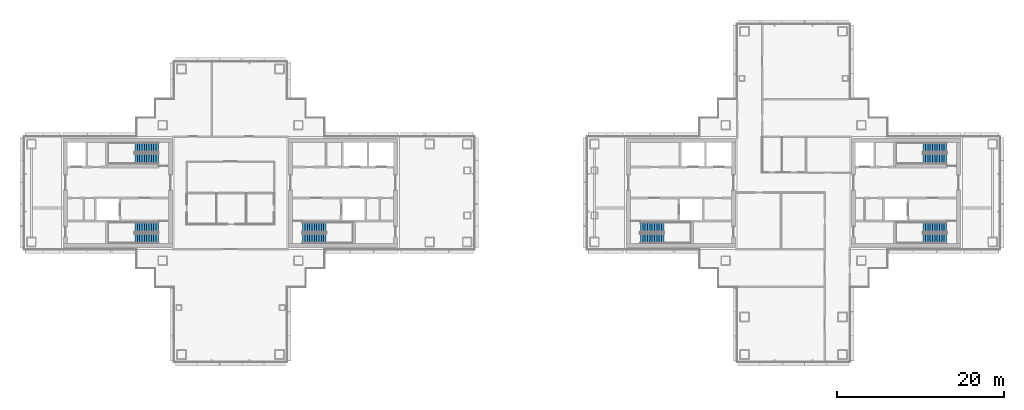
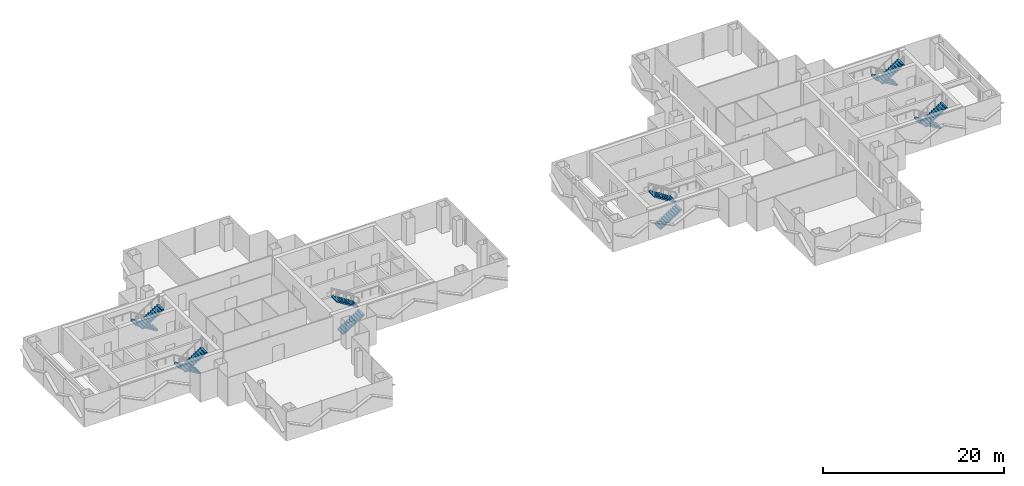
# One storey, part 13 of 16: 12 stair flights, 6 elements without a shape of their own.
"""IFC4 building model written with IfcOpenShell, lengths in metres."""

from ifc_helpers import new_model, si_unit, direction, frame, origin, place, context, subcontext, project, spatial, polyline, outline, extrude, material, type_object, element, aggregate, save


model = new_model("IFC4")

# Units and contexts
model_context = context("Model", 3, precision=1e-05, world=origin(), true_north=direction((0.0, 1.0)))
body_context = subcontext(model_context, "Body", "Model", "MODEL_VIEW")
ifc_project = project(units=[si_unit("LENGTHUNIT", "METRE"), si_unit("AREAUNIT", "SQUARE_METRE"), si_unit("VOLUMEUNIT", "CUBIC_METRE"), si_unit("PLANEANGLEUNIT", "RADIAN"), si_unit("MASSUNIT", "GRAM", prefix="KILO")], contexts=[model_context])

# Site, building, storey
site_placement = place(None, origin())
site = spatial("IfcSite", under=ifc_project, at=site_placement, CompositionType="ELEMENT")
building_placement = place(site_placement, origin())
building = spatial("IfcBuilding", under=site, at=building_placement, Name="Shamsa Quay Exchange Towers", CompositionType="ELEMENT")
storey_placement = place(building_placement, frame((0.0, 0.0, 166.199951171875)))
storey = spatial("IfcBuildingStorey", under=building, at=storey_placement, Name="L39", CompositionType="ELEMENT", Elevation=166.199951171875)

# Stair, stair flights
ifc_material = material(Name="Concrete C40/50", Category="concrete")
stair_type = type_object("IfcStairType", Name="EXIT STAIR 22 RISERS 177 MM", PredefinedType="HALF_TURN_STAIR", material=ifc_material)
stair_1_placement = place(storey_placement, origin())
stair_1 = element("IfcStair", 1, at=stair_1_placement, inside=storey, type_object=stair_type, Name="L39 Exit stair ST1", PredefinedType="HALF_TURN_STAIR")
stair_flight_type = type_object("IfcStairFlightType", Name="EXIT STAIR FLIGHT 11 RISERS 177 MM", PredefinedType="STRAIGHT", material=ifc_material)
stair_flight_1_placement = place(storey_placement, frame((-25.10009765625, -5.449951171875, 0.0)))
stair_flight_1 = element("IfcStairFlight", 2, at=stair_flight_1_placement, type_object=stair_flight_type, Name="ST1 flight 1", NumberOfRisers=11, NumberOfTreads=10, PredefinedType="STRAIGHT", RiserHeight=0.177272727, TreadLength=0.28, context=body_context, shape_type="SweptSolid", body=[
    extrude(outline(polyline([(0.0, 0.0), (0.0, 0.17724609375), (0.280029296875, 0.17724609375), (0.280029296875, 0.3544921875), (0.56005859375, 0.3544921875), (0.56005859375, 0.53173828125), (0.840087890625, 0.53173828125), (0.840087890625, 0.708984375), (1.1201171875, 0.708984375), (1.1201171875, 0.886474609375), (1.39990234375, 0.886474609375), (1.39990234375, 1.063720703125), (1.679931640625, 1.063720703125), (1.679931640625, 1.240966796875), (1.9599609375, 1.240966796875), (1.9599609375, 1.418212890625), (2.239990234375, 1.418212890625), (2.239990234375, 1.595458984375), (2.52001953125, 1.595458984375), (2.52001953125, 1.772705078125), (2.800048828125, 1.772705078125), (2.800048828125, 1.949951171875), (2.800048828125, 1.607177734375), (0.261474609375, 0.0), (0.0, 0.0)])), frame((0.0, 0.60009765625, 0.0), z_axis=(0.0, -1.0, 0.0), x_axis=(1.0, 0.0, 0.0)), (0.0, 0.0, 1.0), 1.199951171875),
])
stair_flight_2_placement = place(storey_placement, frame((-22.300048828125, -4.10009765625, 1.949951171875), z_axis=(0.0, 0.0, 1.0), x_axis=(-1.0, 0.0, 0.0)))
stair_flight_2 = element("IfcStairFlight", 3, at=stair_flight_2_placement, type_object=stair_flight_type, Name="ST1 flight 2", NumberOfRisers=11, NumberOfTreads=10, PredefinedType="STRAIGHT", RiserHeight=0.177272727, TreadLength=0.28, context=body_context, shape_type="SweptSolid", body=[
    extrude(outline(polyline([(0.0, 0.0), (0.0, 0.17724609375), (0.280029296875, 0.17724609375), (0.280029296875, 0.3544921875), (0.56005859375, 0.3544921875), (0.56005859375, 0.53173828125), (0.840087890625, 0.53173828125), (0.840087890625, 0.708984375), (1.1201171875, 0.708984375), (1.1201171875, 0.886474609375), (1.39990234375, 0.886474609375), (1.39990234375, 1.063720703125), (1.679931640625, 1.063720703125), (1.679931640625, 1.240966796875), (1.9599609375, 1.240966796875), (1.9599609375, 1.418212890625), (2.239990234375, 1.418212890625), (2.239990234375, 1.595458984375), (2.52001953125, 1.595458984375), (2.52001953125, 1.772705078125), (2.800048828125, 1.772705078125), (2.800048828125, 1.949951171875), (2.800048828125, 1.607177734375), (0.261474609375, 0.0), (0.0, 0.0)])), frame((0.0, 0.60009765625, 0.0), z_axis=(0.0, -1.0, 0.0), x_axis=(1.0, 0.0, 0.0)), (0.0, 0.0, 1.0), 1.199951171875),
])
aggregate(stair_1, [stair_flight_1, stair_flight_2])

stair_2_placement = place(storey_placement, origin())
stair_2 = element("IfcStair", 4, at=stair_2_placement, inside=storey, type_object=stair_type, Name="L39 Exit stair ST2", PredefinedType="HALF_TURN_STAIR")
stair_flight_3_placement = place(storey_placement, frame((-42.39990234375, -4.10009765625, 0.0), z_axis=(0.0, 0.0, 1.0), x_axis=(-1.0, 0.0, 0.0)))
stair_flight_3 = element("IfcStairFlight", 5, at=stair_flight_3_placement, type_object=stair_flight_type, Name="ST2 flight 1", NumberOfRisers=11, NumberOfTreads=10, PredefinedType="STRAIGHT", RiserHeight=0.177272727, TreadLength=0.28, context=body_context, shape_type="SweptSolid", body=[
    extrude(outline(polyline([(0.0, 0.0), (0.0, 0.17724609375), (0.280029296875, 0.17724609375), (0.280029296875, 0.3544921875), (0.56005859375, 0.3544921875), (0.56005859375, 0.53173828125), (0.840087890625, 0.53173828125), (0.840087890625, 0.708984375), (1.1201171875, 0.708984375), (1.1201171875, 0.886474609375), (1.39990234375, 0.886474609375), (1.39990234375, 1.063720703125), (1.679931640625, 1.063720703125), (1.679931640625, 1.240966796875), (1.9599609375, 1.240966796875), (1.9599609375, 1.418212890625), (2.239990234375, 1.418212890625), (2.239990234375, 1.595458984375), (2.52001953125, 1.595458984375), (2.52001953125, 1.772705078125), (2.800048828125, 1.772705078125), (2.800048828125, 1.949951171875), (2.800048828125, 1.607177734375), (0.261474609375, 0.0), (0.0, 0.0)])), frame((0.0, 0.60009765625, 0.0), z_axis=(0.0, -1.0, 0.0), x_axis=(1.0, 0.0, 0.0)), (0.0, 0.0, 1.0), 1.199951171875),
])
stair_flight_4_placement = place(storey_placement, frame((-45.199951171875, -5.449951171875, 1.949951171875)))
stair_flight_4 = element("IfcStairFlight", 6, at=stair_flight_4_placement, type_object=stair_flight_type, Name="ST2 flight 2", NumberOfRisers=11, NumberOfTreads=10, PredefinedType="STRAIGHT", RiserHeight=0.177272727, TreadLength=0.28, context=body_context, shape_type="SweptSolid", body=[
    extrude(outline(polyline([(0.0, 0.0), (0.0, 0.17724609375), (0.280029296875, 0.17724609375), (0.280029296875, 0.3544921875), (0.56005859375, 0.3544921875), (0.56005859375, 0.53173828125), (0.840087890625, 0.53173828125), (0.840087890625, 0.708984375), (1.1201171875, 0.708984375), (1.1201171875, 0.886474609375), (1.39990234375, 0.886474609375), (1.39990234375, 1.063720703125), (1.679931640625, 1.063720703125), (1.679931640625, 1.240966796875), (1.9599609375, 1.240966796875), (1.9599609375, 1.418212890625), (2.239990234375, 1.418212890625), (2.239990234375, 1.595458984375), (2.52001953125, 1.595458984375), (2.52001953125, 1.772705078125), (2.800048828125, 1.772705078125), (2.800048828125, 1.949951171875), (2.800048828125, 1.607177734375), (0.261474609375, 0.0), (0.0, 0.0)])), frame((0.0, 0.60009765625, 0.0), z_axis=(0.0, -1.0, 0.0), x_axis=(1.0, 0.0, 0.0)), (0.0, 0.0, 1.0), 1.199951171875),
])
aggregate(stair_2, [stair_flight_3, stair_flight_4])

stair_3_placement = place(storey_placement, origin())
stair_3 = element("IfcStair", 7, at=stair_3_placement, inside=storey, type_object=stair_type, Name="L39 Exit stair ST3", PredefinedType="HALF_TURN_STAIR")
stair_flight_5_placement = place(storey_placement, frame((-42.39990234375, 5.449951171875, 0.0), z_axis=(0.0, 0.0, 1.0), x_axis=(-1.0, 0.0, 0.0)))
stair_flight_5 = element("IfcStairFlight", 8, at=stair_flight_5_placement, type_object=stair_flight_type, Name="ST3 flight 1", NumberOfRisers=11, NumberOfTreads=10, PredefinedType="STRAIGHT", RiserHeight=0.177272727, TreadLength=0.28, context=body_context, shape_type="SweptSolid", body=[
    extrude(outline(polyline([(0.0, 0.0), (0.0, 0.17724609375), (0.280029296875, 0.17724609375), (0.280029296875, 0.3544921875), (0.56005859375, 0.3544921875), (0.56005859375, 0.53173828125), (0.840087890625, 0.53173828125), (0.840087890625, 0.708984375), (1.1201171875, 0.708984375), (1.1201171875, 0.886474609375), (1.39990234375, 0.886474609375), (1.39990234375, 1.063720703125), (1.679931640625, 1.063720703125), (1.679931640625, 1.240966796875), (1.9599609375, 1.240966796875), (1.9599609375, 1.418212890625), (2.239990234375, 1.418212890625), (2.239990234375, 1.595458984375), (2.52001953125, 1.595458984375), (2.52001953125, 1.772705078125), (2.800048828125, 1.772705078125), (2.800048828125, 1.949951171875), (2.800048828125, 1.607177734375), (0.261474609375, 0.0), (0.0, 0.0)])), frame((0.0, 0.60009765625, 0.0), z_axis=(0.0, -1.0, 0.0), x_axis=(1.0, 0.0, 0.0)), (0.0, 0.0, 1.0), 1.199951171875),
])
stair_flight_6_placement = place(storey_placement, frame((-45.199951171875, 4.10009765625, 1.949951171875)))
stair_flight_6 = element("IfcStairFlight", 9, at=stair_flight_6_placement, type_object=stair_flight_type, Name="ST3 flight 2", NumberOfRisers=11, NumberOfTreads=10, PredefinedType="STRAIGHT", RiserHeight=0.177272727, TreadLength=0.28, context=body_context, shape_type="SweptSolid", body=[
    extrude(outline(polyline([(0.0, 0.0), (0.0, 0.17724609375), (0.280029296875, 0.17724609375), (0.280029296875, 0.3544921875), (0.56005859375, 0.3544921875), (0.56005859375, 0.53173828125), (0.840087890625, 0.53173828125), (0.840087890625, 0.708984375), (1.1201171875, 0.708984375), (1.1201171875, 0.886474609375), (1.39990234375, 0.886474609375), (1.39990234375, 1.063720703125), (1.679931640625, 1.063720703125), (1.679931640625, 1.240966796875), (1.9599609375, 1.240966796875), (1.9599609375, 1.418212890625), (2.239990234375, 1.418212890625), (2.239990234375, 1.595458984375), (2.52001953125, 1.595458984375), (2.52001953125, 1.772705078125), (2.800048828125, 1.772705078125), (2.800048828125, 1.949951171875), (2.800048828125, 1.607177734375), (0.261474609375, 0.0), (0.0, 0.0)])), frame((0.0, 0.60009765625, 0.0), z_axis=(0.0, -1.0, 0.0), x_axis=(1.0, 0.0, 0.0)), (0.0, 0.0, 1.0), 1.199951171875),
])
aggregate(stair_3, [stair_flight_5, stair_flight_6])

stair_4_placement = place(storey_placement, origin())
stair_4 = element("IfcStair", 10, at=stair_4_placement, inside=storey, type_object=stair_type, Name="L39 Exit stair ST4", PredefinedType="HALF_TURN_STAIR")
stair_flight_7_placement = place(storey_placement, frame((15.39990234375, -5.449951171875, 0.0)))
stair_flight_7 = element("IfcStairFlight", 11, at=stair_flight_7_placement, type_object=stair_flight_type, Name="ST4 flight 1", NumberOfRisers=11, NumberOfTreads=10, PredefinedType="STRAIGHT", RiserHeight=0.177272727, TreadLength=0.28, context=body_context, shape_type="SweptSolid", body=[
    extrude(outline(polyline([(0.0, 0.0), (0.0, 0.17724609375), (0.280029296875, 0.17724609375), (0.280029296875, 0.3544921875), (0.56005859375, 0.3544921875), (0.56005859375, 0.53173828125), (0.840087890625, 0.53173828125), (0.840087890625, 0.708984375), (1.1201171875, 0.708984375), (1.1201171875, 0.886474609375), (1.39990234375, 0.886474609375), (1.39990234375, 1.063720703125), (1.679931640625, 1.063720703125), (1.679931640625, 1.240966796875), (1.9599609375, 1.240966796875), (1.9599609375, 1.418212890625), (2.239990234375, 1.418212890625), (2.239990234375, 1.595458984375), (2.52001953125, 1.595458984375), (2.52001953125, 1.772705078125), (2.800048828125, 1.772705078125), (2.800048828125, 1.949951171875), (2.800048828125, 1.607177734375), (0.261474609375, 0.0), (0.0, 0.0)])), frame((0.0, 0.60009765625, 0.0), z_axis=(0.0, -1.0, 0.0), x_axis=(1.0, 0.0, 0.0)), (0.0, 0.0, 1.0), 1.199951171875),
])
stair_flight_8_placement = place(storey_placement, frame((18.199951171875, -4.10009765625, 1.949951171875), z_axis=(0.0, 0.0, 1.0), x_axis=(-1.0, 0.0, 0.0)))
stair_flight_8 = element("IfcStairFlight", 12, at=stair_flight_8_placement, type_object=stair_flight_type, Name="ST4 flight 2", NumberOfRisers=11, NumberOfTreads=10, PredefinedType="STRAIGHT", RiserHeight=0.177272727, TreadLength=0.28, context=body_context, shape_type="SweptSolid", body=[
    extrude(outline(polyline([(0.0, 0.0), (0.0, 0.17724609375), (0.280029296875, 0.17724609375), (0.280029296875, 0.3544921875), (0.56005859375, 0.3544921875), (0.56005859375, 0.53173828125), (0.840087890625, 0.53173828125), (0.840087890625, 0.708984375), (1.1201171875, 0.708984375), (1.1201171875, 0.886474609375), (1.39990234375, 0.886474609375), (1.39990234375, 1.063720703125), (1.679931640625, 1.063720703125), (1.679931640625, 1.240966796875), (1.9599609375, 1.240966796875), (1.9599609375, 1.418212890625), (2.239990234375, 1.418212890625), (2.239990234375, 1.595458984375), (2.52001953125, 1.595458984375), (2.52001953125, 1.772705078125), (2.800048828125, 1.772705078125), (2.800048828125, 1.949951171875), (2.800048828125, 1.607177734375), (0.261474609375, 0.0), (0.0, 0.0)])), frame((0.0, 0.60009765625, 0.0), z_axis=(0.0, -1.0, 0.0), x_axis=(1.0, 0.0, 0.0)), (0.0, 0.0, 1.0), 1.199951171875),
])
aggregate(stair_4, [stair_flight_7, stair_flight_8])

stair_5_placement = place(storey_placement, origin())
stair_5 = element("IfcStair", 13, at=stair_5_placement, inside=storey, type_object=stair_type, Name="L39 Exit stair ST5", PredefinedType="HALF_TURN_STAIR")
stair_flight_9_placement = place(storey_placement, frame((52.10009765625, -4.10009765625, 0.0), z_axis=(0.0, 0.0, 1.0), x_axis=(-1.0, 0.0, 0.0)))
stair_flight_9 = element("IfcStairFlight", 14, at=stair_flight_9_placement, type_object=stair_flight_type, Name="ST5 flight 1", NumberOfRisers=11, NumberOfTreads=10, PredefinedType="STRAIGHT", RiserHeight=0.177272727, TreadLength=0.28, context=body_context, shape_type="SweptSolid", body=[
    extrude(outline(polyline([(0.0, 0.0), (0.0, 0.17724609375), (0.280029296875, 0.17724609375), (0.280029296875, 0.3544921875), (0.56005859375, 0.3544921875), (0.56005859375, 0.53173828125), (0.840087890625, 0.53173828125), (0.840087890625, 0.708984375), (1.1201171875, 0.708984375), (1.1201171875, 0.886474609375), (1.39990234375, 0.886474609375), (1.39990234375, 1.063720703125), (1.679931640625, 1.063720703125), (1.679931640625, 1.240966796875), (1.9599609375, 1.240966796875), (1.9599609375, 1.418212890625), (2.239990234375, 1.418212890625), (2.239990234375, 1.595458984375), (2.52001953125, 1.595458984375), (2.52001953125, 1.772705078125), (2.800048828125, 1.772705078125), (2.800048828125, 1.949951171875), (2.800048828125, 1.607177734375), (0.261474609375, 0.0), (0.0, 0.0)])), frame((0.0, 0.60009765625, 0.0), z_axis=(0.0, -1.0, 0.0), x_axis=(1.0, 0.0, 0.0)), (0.0, 0.0, 1.0), 1.199951171875),
])
stair_flight_10_placement = place(storey_placement, frame((49.300048828125, -5.449951171875, 1.949951171875)))
stair_flight_10 = element("IfcStairFlight", 15, at=stair_flight_10_placement, type_object=stair_flight_type, Name="ST5 flight 2", NumberOfRisers=11, NumberOfTreads=10, PredefinedType="STRAIGHT", RiserHeight=0.177272727, TreadLength=0.28, context=body_context, shape_type="SweptSolid", body=[
    extrude(outline(polyline([(0.0, 0.0), (0.0, 0.17724609375), (0.280029296875, 0.17724609375), (0.280029296875, 0.3544921875), (0.56005859375, 0.3544921875), (0.56005859375, 0.53173828125), (0.840087890625, 0.53173828125), (0.840087890625, 0.708984375), (1.1201171875, 0.708984375), (1.1201171875, 0.886474609375), (1.39990234375, 0.886474609375), (1.39990234375, 1.063720703125), (1.679931640625, 1.063720703125), (1.679931640625, 1.240966796875), (1.9599609375, 1.240966796875), (1.9599609375, 1.418212890625), (2.239990234375, 1.418212890625), (2.239990234375, 1.595458984375), (2.52001953125, 1.595458984375), (2.52001953125, 1.772705078125), (2.800048828125, 1.772705078125), (2.800048828125, 1.949951171875), (2.800048828125, 1.607177734375), (0.261474609375, 0.0), (0.0, 0.0)])), frame((0.0, 0.60009765625, 0.0), z_axis=(0.0, -1.0, 0.0), x_axis=(1.0, 0.0, 0.0)), (0.0, 0.0, 1.0), 1.199951171875),
])
aggregate(stair_5, [stair_flight_9, stair_flight_10])

stair_6_placement = place(storey_placement, origin())
stair_6 = element("IfcStair", 16, at=stair_6_placement, inside=storey, type_object=stair_type, Name="L39 Exit stair ST6", PredefinedType="HALF_TURN_STAIR")
stair_flight_11_placement = place(storey_placement, frame((52.10009765625, 5.449951171875, 0.0), z_axis=(0.0, 0.0, 1.0), x_axis=(-1.0, 0.0, 0.0)))
stair_flight_11 = element("IfcStairFlight", 17, at=stair_flight_11_placement, type_object=stair_flight_type, Name="ST6 flight 1", NumberOfRisers=11, NumberOfTreads=10, PredefinedType="STRAIGHT", RiserHeight=0.177272727, TreadLength=0.28, context=body_context, shape_type="SweptSolid", body=[
    extrude(outline(polyline([(0.0, 0.0), (0.0, 0.17724609375), (0.280029296875, 0.17724609375), (0.280029296875, 0.3544921875), (0.56005859375, 0.3544921875), (0.56005859375, 0.53173828125), (0.840087890625, 0.53173828125), (0.840087890625, 0.708984375), (1.1201171875, 0.708984375), (1.1201171875, 0.886474609375), (1.39990234375, 0.886474609375), (1.39990234375, 1.063720703125), (1.679931640625, 1.063720703125), (1.679931640625, 1.240966796875), (1.9599609375, 1.240966796875), (1.9599609375, 1.418212890625), (2.239990234375, 1.418212890625), (2.239990234375, 1.595458984375), (2.52001953125, 1.595458984375), (2.52001953125, 1.772705078125), (2.800048828125, 1.772705078125), (2.800048828125, 1.949951171875), (2.800048828125, 1.607177734375), (0.261474609375, 0.0), (0.0, 0.0)])), frame((0.0, 0.60009765625, 0.0), z_axis=(0.0, -1.0, 0.0), x_axis=(1.0, 0.0, 0.0)), (0.0, 0.0, 1.0), 1.199951171875),
])
stair_flight_12_placement = place(storey_placement, frame((49.300048828125, 4.10009765625, 1.949951171875)))
stair_flight_12 = element("IfcStairFlight", 18, at=stair_flight_12_placement, type_object=stair_flight_type, Name="ST6 flight 2", NumberOfRisers=11, NumberOfTreads=10, PredefinedType="STRAIGHT", RiserHeight=0.177272727, TreadLength=0.28, context=body_context, shape_type="SweptSolid", body=[
    extrude(outline(polyline([(0.0, 0.0), (0.0, 0.17724609375), (0.280029296875, 0.17724609375), (0.280029296875, 0.3544921875), (0.56005859375, 0.3544921875), (0.56005859375, 0.53173828125), (0.840087890625, 0.53173828125), (0.840087890625, 0.708984375), (1.1201171875, 0.708984375), (1.1201171875, 0.886474609375), (1.39990234375, 0.886474609375), (1.39990234375, 1.063720703125), (1.679931640625, 1.063720703125), (1.679931640625, 1.240966796875), (1.9599609375, 1.240966796875), (1.9599609375, 1.418212890625), (2.239990234375, 1.418212890625), (2.239990234375, 1.595458984375), (2.52001953125, 1.595458984375), (2.52001953125, 1.772705078125), (2.800048828125, 1.772705078125), (2.800048828125, 1.949951171875), (2.800048828125, 1.607177734375), (0.261474609375, 0.0), (0.0, 0.0)])), frame((0.0, 0.60009765625, 0.0), z_axis=(0.0, -1.0, 0.0), x_axis=(1.0, 0.0, 0.0)), (0.0, 0.0, 1.0), 1.199951171875),
])
aggregate(stair_6, [stair_flight_11, stair_flight_12])

save(model, "model.ifc")
